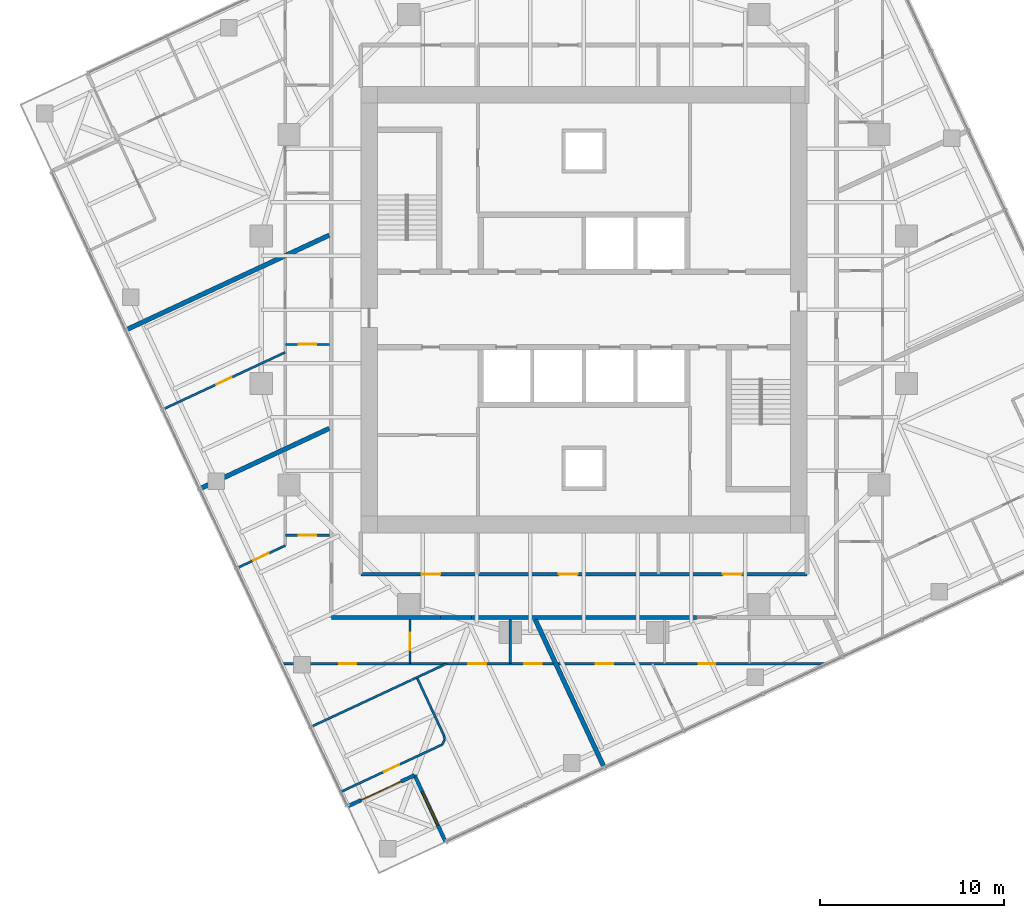
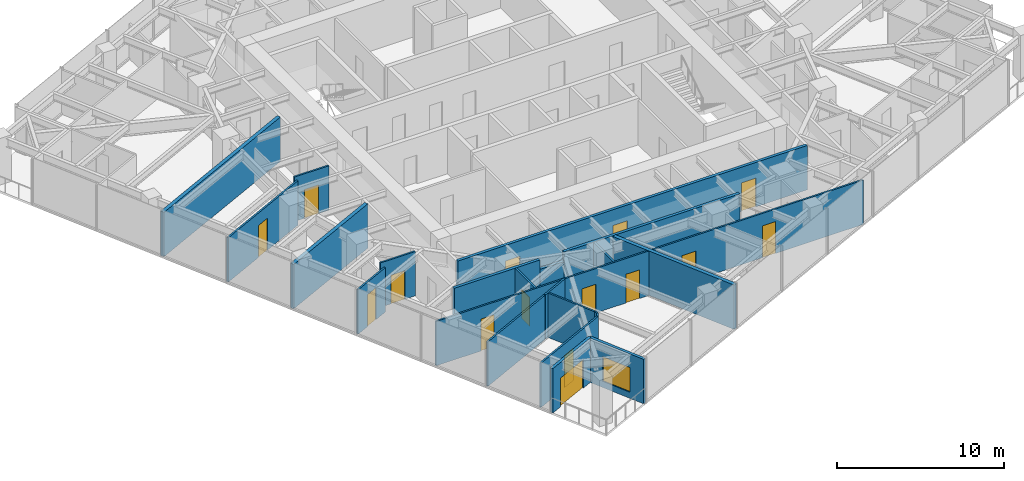
# One storey, part 7 of 12: 22 walls, 15 doors, 1 window, 16 openings.
"""IFC4 building model written with IfcOpenShell, lengths in metres."""

from ifc_helpers import new_model, si_unit, direction, frame, frame_2d, origin, place, context, subcontext, project, spatial, rectangle, extrude, material, layer, layer_set, type_object, element, fill, save


model = new_model("IFC4")

# Units and contexts
model_context = context("Model", 3, precision=1e-05, world=origin(), true_north=direction((0.0, 1.0)))
body_context = subcontext(model_context, "Body", "Model", "MODEL_VIEW")
ifc_project = project(units=[si_unit("LENGTHUNIT", "METRE"), si_unit("AREAUNIT", "SQUARE_METRE"), si_unit("VOLUMEUNIT", "CUBIC_METRE"), si_unit("PLANEANGLEUNIT", "RADIAN"), si_unit("MASSUNIT", "GRAM", prefix="KILO")], contexts=[model_context])

# Site, building, storey
site_placement = place(None, origin())
site = spatial("IfcSite", under=ifc_project, at=site_placement, CompositionType="ELEMENT")
building_placement = place(site_placement, origin())
building = spatial("IfcBuilding", under=site, at=building_placement, Name="Torsade Residences", CompositionType="ELEMENT")
storey_placement = place(building_placement, frame((0.0, 0.0, 186.199951171875)))
storey = spatial("IfcBuildingStorey", under=building, at=storey_placement, Name="L51", CompositionType="ELEMENT", Elevation=186.199951171875)

# Walls
ifc_material_1 = material(Name="Plasterboard on steel stud", Category="steel")
ifc_layer_1 = layer(ifc_material_1, 0.199951171875)
ifc_layer_set_1 = layer_set([ifc_layer_1], Name="Plasterboard on steel stud")
wall_type_1 = type_object("IfcWallType", Name="CORRIDOR WALL 200", PredefinedType="PARTITIONING", material=ifc_layer_set_1)
wall_1_placement = place(storey_placement, frame((26.300048828125, 13.300048828125, 0.0), z_axis=(0.0, 0.0, 1.0), x_axis=(1.0, 0.0, 0.0)))
element("IfcWall", 1, at=wall_1_placement, inside=storey, type_object=wall_type_1, Name="Corridor wall L51", PredefinedType="PARTITIONING", context=body_context, shape_type="SweptSolid", body=[
    extrude(rectangle(XDim=5.9248046875, YDim=0.199951171875, at=frame_2d((2.96240234375, 0.0))), origin(), (0.0, 0.0, 1.0), 3.25),
])
wall_2_placement = place(storey_placement, frame((32.224853515625, 13.300048828125, 0.0), z_axis=(0.0, 0.0, 1.0), x_axis=(1.0, 0.0, 0.0)))
element("IfcWall", 2, at=wall_2_placement, inside=storey, type_object=wall_type_1, Name="Corridor wall L51", PredefinedType="PARTITIONING", context=body_context, shape_type="SweptSolid", body=[
    extrude(rectangle(XDim=1.68359375, YDim=0.199951171875, at=frame_2d((0.841796875, 0.0))), origin(), (0.0, 0.0, 1.0), 2.550048828125),
])
wall_3_placement = place(storey_placement, frame((33.908447265625, 13.300048828125, 0.0), z_axis=(0.0, 0.0, 1.0), x_axis=(1.0, 0.0, 0.0)))
element("IfcWall", 3, at=wall_3_placement, inside=storey, type_object=wall_type_1, Name="Corridor wall L51", PredefinedType="PARTITIONING", context=body_context, shape_type="SweptSolid", body=[
    extrude(rectangle(XDim=12.18310546875, YDim=0.199951171875, at=frame_2d((6.091552734375, 0.0))), origin(), (0.0, 0.0, 1.0), 3.25),
])

# Wall, openings, doors
wall_4_placement = place(storey_placement, frame((27.89990234375, 15.64990234375, 0.0), z_axis=(0.0, 0.0, 1.0), x_axis=(1.0, 0.0, 0.0)))
wall_4 = element("IfcWall", 4, at=wall_4_placement, inside=storey, type_object=wall_type_1, Name="Corridor wall L51", PredefinedType="PARTITIONING", context=body_context, shape_type="SweptSolid", body=[
    extrude(rectangle(XDim=24.2001953125, YDim=0.199951171875, at=frame_2d((12.10009765625, 0.0))), origin(), (0.0, 0.0, 1.0), 3.25),
])
opening_1_placement = place(wall_4_placement, frame((10.742919921875, 0.0, 0.0)))
opening_1 = element("IfcOpeningElement", 5, at=opening_1_placement, cuts=wall_4, Name="Opening D03", PredefinedType="OPENING", context=body_context, shape_type="SweptSolid", body=[
    extrude(rectangle(XDim=1.02001953125, YDim=2.10009765625, at=frame_2d((0.510009765625, 1.050048828125))), frame((0.0, 0.10986328125, 0.0), z_axis=(0.0, -1.0, 0.0), x_axis=(1.0, 0.0, 0.0)), (0.0, 0.0, 1.0), 0.219970703125),
])
opening_2_placement = place(wall_4_placement, frame((19.6357421875, 0.0, 0.0)))
opening_2 = element("IfcOpeningElement", 6, at=opening_2_placement, cuts=wall_4, Name="Opening D03", PredefinedType="OPENING", context=body_context, shape_type="SweptSolid", body=[
    extrude(rectangle(XDim=1.02001953125, YDim=2.10009765625, at=frame_2d((0.510009765625, 1.050048828125))), frame((0.0, 0.10986328125, 0.0), z_axis=(0.0, -1.0, 0.0), x_axis=(1.0, 0.0, 0.0)), (0.0, 0.0, 1.0), 0.219970703125),
])
opening_3_placement = place(wall_4_placement, frame((3.29736328125, 0.0, 0.0)))
opening_3 = element("IfcOpeningElement", 7, at=opening_3_placement, cuts=wall_4, Name="Opening D03", PredefinedType="OPENING", context=body_context, shape_type="SweptSolid", body=[
    extrude(rectangle(XDim=1.02001953125, YDim=2.10009765625, at=frame_2d((0.510009765625, 1.050048828125))), frame((0.0, 0.10986328125, 0.0), z_axis=(0.0, -1.0, 0.0), x_axis=(1.0, 0.0, 0.0)), (0.0, 0.0, 1.0), 0.219970703125),
])
ifc_material_2 = material(Name="Steel-framed fire door", Category="steel")
door_type_1 = type_object("IfcDoorType", Name="FIRE DOOR 1020", OperationType="NOTDEFINED", PredefinedType="DOOR", material=ifc_material_2)
door_1_placement = place(opening_1_placement, origin())
door_1 = element("IfcDoor", 8, at=door_1_placement, inside=storey, type_object=door_type_1, Name="Door Residential corridor to Residents storage", OperationType="SINGLE_SWING_RIGHT", OverallHeight=2.10009765625, OverallWidth=1.02001953125, PredefinedType="DOOR", context=body_context, shape_type="SweptSolid", body=[
    extrude(rectangle(XDim=1.02001953125, YDim=2.10009765625, at=frame_2d((0.510009765625, 1.050048828125))), frame((0.0, 0.02490234375, 0.0), z_axis=(0.0, -1.0, 0.0), x_axis=(1.0, 0.0, 0.0)), (0.0, 0.0, 1.0), 0.050048828125),
])
fill(opening_1, door_1)
door_2_placement = place(opening_2_placement, origin())
door_2 = element("IfcDoor", 9, at=door_2_placement, inside=storey, type_object=door_type_1, Name="Door Residential corridor to Parcel room", OperationType="SINGLE_SWING_RIGHT", OverallHeight=2.10009765625, OverallWidth=1.02001953125, PredefinedType="DOOR", context=body_context, shape_type="SweptSolid", body=[
    extrude(rectangle(XDim=1.02001953125, YDim=2.10009765625, at=frame_2d((0.510009765625, 1.050048828125))), frame((0.0, 0.02490234375, 0.0), z_axis=(0.0, -1.0, 0.0), x_axis=(1.0, 0.0, 0.0)), (0.0, 0.0, 1.0), 0.050048828125),
])
fill(opening_2, door_2)
door_3_placement = place(opening_3_placement, origin())
door_3 = element("IfcDoor", 10, at=door_3_placement, inside=storey, type_object=door_type_1, Name="Door Residential corridor to Bulk store", OperationType="SINGLE_SWING_RIGHT", OverallHeight=2.10009765625, OverallWidth=1.02001953125, PredefinedType="DOOR", context=body_context, shape_type="SweptSolid", body=[
    extrude(rectangle(XDim=1.02001953125, YDim=2.10009765625, at=frame_2d((0.510009765625, 1.050048828125))), frame((0.0, 0.02490234375, 0.0), z_axis=(0.0, -1.0, 0.0), x_axis=(1.0, 0.0, 0.0)), (0.0, 0.0, 1.0), 0.050048828125),
])
fill(opening_3, door_3)

# Wall, opening, door
ifc_material_3 = material(Name="Plasterboard on steel stud", Category="steel")
ifc_layer_2 = layer(ifc_material_3, 0.1201171875)
ifc_layer_set_2 = layer_set([ifc_layer_2], Name="Plasterboard on steel stud")
wall_type_2 = type_object("IfcWallType", Name="PARTITION 120", PredefinedType="PARTITIONING", material=ifc_layer_set_2)
wall_5_placement = place(storey_placement, frame((26.199951171875, 28.1162109375, 0.0), z_axis=(0.0, 0.0, 1.0), x_axis=(-1.0, 0.0, 0.0)))
wall_5 = element("IfcWall", 11, at=wall_5_placement, inside=storey, type_object=wall_type_2, Name="Partition L51", PredefinedType="PARTITIONING", context=body_context, shape_type="SweptSolid", body=[
    extrude(rectangle(XDim=2.39990234375, YDim=0.1201171875, at=frame_2d((1.199951171875, 0.0))), origin(), (0.0, 0.0, 1.0), 3.25),
])
opening_4_placement = place(wall_5_placement, frame((0.719970703125, 0.0, 0.0)))
opening_4 = element("IfcOpeningElement", 12, at=opening_4_placement, cuts=wall_5, Name="Opening D05", PredefinedType="OPENING", context=body_context, shape_type="SweptSolid", body=[
    extrude(rectangle(XDim=0.9599609375, YDim=2.10009765625, at=frame_2d((0.47998046875, 1.050048828125))), frame((0.0, 0.070068359375, 0.0), z_axis=(0.0, -1.0, 0.0), x_axis=(1.0, 0.0, 0.0)), (0.0, 0.0, 1.0), 0.14013671875),
])
ifc_material_4 = material(Name="Hollow-core timber door in a steel cavity frame", Category="steel")
door_type_2 = type_object("IfcDoorType", Name="BATHROOM CAVITY SLIDING DOOR 960", OperationType="SLIDING_TO_LEFT", PredefinedType="DOOR", material=ifc_material_4)
door_4_placement = place(opening_4_placement, origin())
door_4 = element("IfcDoor", 13, at=door_4_placement, inside=storey, type_object=door_type_2, Name="Door Kitchen and dining to Bathroom", OperationType="SLIDING_TO_LEFT", OverallHeight=2.10009765625, OverallWidth=0.9599609375, PredefinedType="DOOR", context=body_context, shape_type="SweptSolid", body=[
    extrude(rectangle(XDim=0.9599609375, YDim=2.10009765625, at=frame_2d((0.47998046875, 1.050048828125))), frame((0.0, 0.02490234375, 0.0), z_axis=(0.0, -1.0, 0.0), x_axis=(1.0, 0.0, 0.0)), (0.0, 0.0, 1.0), 0.050048828125),
])
fill(opening_4, door_4)

wall_6_placement = place(storey_placement, frame((23.800048828125, 27.686767578125, 0.0), z_axis=(0.0, 0.0, 1.0), x_axis=(-0.906306986906, -0.422619977621, 0.0)))
wall_6 = element("IfcWall", 14, at=wall_6_placement, inside=storey, type_object=wall_type_2, Name="Partition L51", PredefinedType="PARTITIONING", context=body_context, shape_type="SweptSolid", body=[
    extrude(rectangle(XDim=7.30029296875, YDim=0.1201171875, at=frame_2d((3.650146484375, 0.0))), origin(), (0.0, 0.0, 1.0), 3.25),
])
opening_5_placement = place(wall_6_placement, frame((3.210205078125, 0.0, 0.0)))
opening_5 = element("IfcOpeningElement", 15, at=opening_5_placement, cuts=wall_6, Name="Opening D02", PredefinedType="OPENING", context=body_context, shape_type="SweptSolid", body=[
    extrude(rectangle(XDim=0.919921875, YDim=2.340087890625, at=frame_2d((0.4599609375, 1.169921875))), frame((0.0, 0.070068359375, 0.0), z_axis=(0.0, -1.0, 0.0), x_axis=(1.0, 0.0, 0.0)), (0.0, 0.0, 1.0), 0.14013671875),
])
ifc_material_5 = material(Name="Hollow-core timber door", Category="wood")
door_type_3 = type_object("IfcDoorType", Name="INTERNAL DOOR 920x2340", OperationType="NOTDEFINED", PredefinedType="DOOR", material=ifc_material_5)
door_5_placement = place(opening_5_placement, origin())
door_5 = element("IfcDoor", 16, at=door_5_placement, inside=storey, type_object=door_type_3, Name="Door Living room to Bedroom 1", OperationType="SINGLE_SWING_LEFT", OverallHeight=2.340087890625, OverallWidth=0.919921875, PredefinedType="DOOR", context=body_context, shape_type="SweptSolid", body=[
    extrude(rectangle(XDim=0.919921875, YDim=2.340087890625, at=frame_2d((0.4599609375, 1.169921875))), frame((0.0, 0.02490234375, 0.0), z_axis=(0.0, -1.0, 0.0), x_axis=(1.0, 0.0, 0.0)), (0.0, 0.0, 1.0), 0.050048828125),
])
fill(opening_5, door_5)

wall_7_placement = place(storey_placement, frame((23.800048828125, 17.7646484375, 0.0), z_axis=(0.0, 0.0, 1.0), x_axis=(1.0, 0.0, 0.0)))
wall_7 = element("IfcWall", 17, at=wall_7_placement, inside=storey, type_object=wall_type_2, Name="Partition L51", PredefinedType="PARTITIONING", context=body_context, shape_type="SweptSolid", body=[
    extrude(rectangle(XDim=2.39990234375, YDim=0.1201171875, at=frame_2d((1.199951171875, 0.0))), origin(), (0.0, 0.0, 1.0), 3.25),
])
opening_6_placement = place(wall_7_placement, frame((0.719970703125, 0.0, 0.0)))
opening_6 = element("IfcOpeningElement", 18, at=opening_6_placement, cuts=wall_7, Name="Opening D05", PredefinedType="OPENING", context=body_context, shape_type="SweptSolid", body=[
    extrude(rectangle(XDim=0.9599609375, YDim=2.10009765625, at=frame_2d((0.47998046875, 1.050048828125))), frame((0.0, 0.070068359375, 0.0), z_axis=(0.0, -1.0, 0.0), x_axis=(1.0, 0.0, 0.0)), (0.0, 0.0, 1.0), 0.14013671875),
])
door_6_placement = place(opening_6_placement, origin())
door_6 = element("IfcDoor", 19, at=door_6_placement, inside=storey, type_object=door_type_2, Name="Door Kitchen and dining to Bathroom", OperationType="SLIDING_TO_LEFT", OverallHeight=2.10009765625, OverallWidth=0.9599609375, PredefinedType="DOOR", context=body_context, shape_type="SweptSolid", body=[
    extrude(rectangle(XDim=0.9599609375, YDim=2.10009765625, at=frame_2d((0.47998046875, 1.050048828125))), frame((0.0, 0.02490234375, 0.0), z_axis=(0.0, -1.0, 0.0), x_axis=(1.0, 0.0, 0.0)), (0.0, 0.0, 1.0), 0.050048828125),
])
fill(opening_6, door_6)

wall_8_placement = place(storey_placement, frame((30.564208984375, 13.199951171875, 0.0), z_axis=(0.0, 0.0, 1.0), x_axis=(0.0, -1.0, 0.0)))
wall_8 = element("IfcWall", 20, at=wall_8_placement, inside=storey, type_object=wall_type_2, Name="Partition L51", PredefinedType="PARTITIONING", context=body_context, shape_type="SweptSolid", body=[
    extrude(rectangle(XDim=2.39990234375, YDim=0.1201171875, at=frame_2d((1.199951171875, 0.0))), origin(), (0.0, 0.0, 1.0), 3.25),
])
opening_7_placement = place(wall_8_placement, frame((0.719970703125, 0.0, 0.0)))
opening_7 = element("IfcOpeningElement", 21, at=opening_7_placement, cuts=wall_8, Name="Opening D05", PredefinedType="OPENING", context=body_context, shape_type="SweptSolid", body=[
    extrude(rectangle(XDim=0.9599609375, YDim=2.10009765625, at=frame_2d((0.47998046875, 1.050048828125))), frame((0.0, 0.070068359375, 0.0), z_axis=(0.0, -1.0, 0.0), x_axis=(1.0, 0.0, 0.0)), (0.0, 0.0, 1.0), 0.14013671875),
])
door_7_placement = place(opening_7_placement, origin())
door_7 = element("IfcDoor", 22, at=door_7_placement, inside=storey, type_object=door_type_2, Name="Door Kitchen and dining to Ensuite", OperationType="SLIDING_TO_LEFT", OverallHeight=2.10009765625, OverallWidth=0.9599609375, PredefinedType="DOOR", context=body_context, shape_type="SweptSolid", body=[
    extrude(rectangle(XDim=0.9599609375, YDim=2.10009765625, at=frame_2d((0.47998046875, 1.050048828125))), frame((0.0, 0.02490234375, 0.0), z_axis=(0.0, -1.0, 0.0), x_axis=(1.0, 0.0, 0.0)), (0.0, 0.0, 1.0), 0.050048828125),
])
fill(opening_7, door_7)

# Wall, openings, doors
wall_9_placement = place(storey_placement, frame((53.2080078125, 10.800048828125, 0.0), z_axis=(0.0, 0.0, 1.0), x_axis=(-1.0, 0.0, 0.0)))
wall_9 = element("IfcWall", 23, at=wall_9_placement, inside=storey, type_object=wall_type_2, Name="Partition L51", PredefinedType="PARTITIONING", context=body_context, shape_type="SweptSolid", body=[
    extrude(rectangle(XDim=29.592529296875, YDim=0.1201171875, at=frame_2d((14.79638671875, 0.0))), origin(), (0.0, 0.0, 1.0), 3.25),
])
opening_8_placement = place(wall_9_placement, frame((6.073974609375, 0.0, 0.0)))
opening_8 = element("IfcOpeningElement", 24, at=opening_8_placement, cuts=wall_9, Name="Opening D02", PredefinedType="OPENING", context=body_context, shape_type="SweptSolid", body=[
    extrude(rectangle(XDim=0.919921875, YDim=2.340087890625, at=frame_2d((0.4599609375, 1.169921875))), frame((0.0, 0.070068359375, 0.0), z_axis=(0.0, -1.0, 0.0), x_axis=(1.0, 0.0, 0.0)), (0.0, 0.0, 1.0), 0.14013671875),
])
opening_9_placement = place(wall_9_placement, frame((25.56591796875, 0.0, 0.0)))
opening_9 = element("IfcOpeningElement", 25, at=opening_9_placement, cuts=wall_9, Name="Opening D02", PredefinedType="OPENING", context=body_context, shape_type="SweptSolid", body=[
    extrude(rectangle(XDim=0.919921875, YDim=2.340087890625, at=frame_2d((0.4599609375, 1.169921875))), frame((0.0, 0.070068359375, 0.0), z_axis=(0.0, -1.0, 0.0), x_axis=(1.0, 0.0, 0.0)), (0.0, 0.0, 1.0), 0.14013671875),
])
opening_10_placement = place(wall_9_placement, frame((18.515380859375, 0.0, 0.0)))
opening_10 = element("IfcOpeningElement", 26, at=opening_10_placement, cuts=wall_9, Name="Opening D05", PredefinedType="OPENING", context=body_context, shape_type="SweptSolid", body=[
    extrude(rectangle(XDim=0.9599609375, YDim=2.10009765625, at=frame_2d((0.47998046875, 1.050048828125))), frame((0.0, 0.070068359375, 0.0), z_axis=(0.0, -1.0, 0.0), x_axis=(1.0, 0.0, 0.0)), (0.0, 0.0, 1.0), 0.14013671875),
])
opening_11_placement = place(wall_9_placement, frame((15.49267578125, 0.0, 0.0)))
opening_11 = element("IfcOpeningElement", 27, at=opening_11_placement, cuts=wall_9, Name="Opening D05", PredefinedType="OPENING", context=body_context, shape_type="SweptSolid", body=[
    extrude(rectangle(XDim=0.9599609375, YDim=2.10009765625, at=frame_2d((0.47998046875, 1.050048828125))), frame((0.0, 0.070068359375, 0.0), z_axis=(0.0, -1.0, 0.0), x_axis=(1.0, 0.0, 0.0)), (0.0, 0.0, 1.0), 0.14013671875),
])
opening_12_placement = place(wall_9_placement, frame((11.60888671875, 0.0, 0.0)))
opening_12 = element("IfcOpeningElement", 28, at=opening_12_placement, cuts=wall_9, Name="Opening D05", PredefinedType="OPENING", context=body_context, shape_type="SweptSolid", body=[
    extrude(rectangle(XDim=0.9599609375, YDim=2.10009765625, at=frame_2d((0.47998046875, 1.050048828125))), frame((0.0, 0.070068359375, 0.0), z_axis=(0.0, -1.0, 0.0), x_axis=(1.0, 0.0, 0.0)), (0.0, 0.0, 1.0), 0.14013671875),
])
door_8_placement = place(opening_10_placement, origin())
door_8 = element("IfcDoor", 29, at=door_8_placement, inside=storey, type_object=door_type_2, Name="Door Ensuite to Living room", OperationType="SLIDING_TO_LEFT", OverallHeight=2.10009765625, OverallWidth=0.9599609375, PredefinedType="DOOR", context=body_context, shape_type="SweptSolid", body=[
    extrude(rectangle(XDim=0.9599609375, YDim=2.10009765625, at=frame_2d((0.47998046875, 1.050048828125))), frame((0.0, 0.02490234375, 0.0), z_axis=(0.0, -1.0, 0.0), x_axis=(1.0, 0.0, 0.0)), (0.0, 0.0, 1.0), 0.050048828125),
])
fill(opening_10, door_8)
door_9_placement = place(opening_11_placement, origin())
door_9 = element("IfcDoor", 30, at=door_9_placement, inside=storey, type_object=door_type_2, Name="Door Living room to Laundry", OperationType="SLIDING_TO_LEFT", OverallHeight=2.10009765625, OverallWidth=0.9599609375, PredefinedType="DOOR", context=body_context, shape_type="SweptSolid", body=[
    extrude(rectangle(XDim=0.9599609375, YDim=2.10009765625, at=frame_2d((0.47998046875, 1.050048828125))), frame((0.0, 0.02490234375, 0.0), z_axis=(0.0, -1.0, 0.0), x_axis=(1.0, 0.0, 0.0)), (0.0, 0.0, 1.0), 0.050048828125),
])
fill(opening_11, door_9)
door_10_placement = place(opening_12_placement, origin())
door_10 = element("IfcDoor", 31, at=door_10_placement, inside=storey, type_object=door_type_2, Name="Door Living room to Bathroom", OperationType="SLIDING_TO_LEFT", OverallHeight=2.10009765625, OverallWidth=0.9599609375, PredefinedType="DOOR", context=body_context, shape_type="SweptSolid", body=[
    extrude(rectangle(XDim=0.9599609375, YDim=2.10009765625, at=frame_2d((0.47998046875, 1.050048828125))), frame((0.0, 0.02490234375, 0.0), z_axis=(0.0, -1.0, 0.0), x_axis=(1.0, 0.0, 0.0)), (0.0, 0.0, 1.0), 0.050048828125),
])
fill(opening_12, door_10)
door_11_placement = place(opening_8_placement, origin())
door_11 = element("IfcDoor", 32, at=door_11_placement, inside=storey, type_object=door_type_3, Name="Door Kitchen and dining to Bedroom 1", OperationType="SINGLE_SWING_RIGHT", OverallHeight=2.340087890625, OverallWidth=0.919921875, PredefinedType="DOOR", context=body_context, shape_type="SweptSolid", body=[
    extrude(rectangle(XDim=0.919921875, YDim=2.340087890625, at=frame_2d((0.4599609375, 1.169921875))), frame((0.0, 0.02490234375, 0.0), z_axis=(0.0, -1.0, 0.0), x_axis=(1.0, 0.0, 0.0)), (0.0, 0.0, 1.0), 0.050048828125),
])
fill(opening_8, door_11)
door_12_placement = place(opening_9_placement, origin())
door_12 = element("IfcDoor", 33, at=door_12_placement, inside=storey, type_object=door_type_3, Name="Door Kitchen and dining to Bedroom 1", OperationType="SINGLE_SWING_RIGHT", OverallHeight=2.340087890625, OverallWidth=0.919921875, PredefinedType="DOOR", context=body_context, shape_type="SweptSolid", body=[
    extrude(rectangle(XDim=0.919921875, YDim=2.340087890625, at=frame_2d((0.4599609375, 1.169921875))), frame((0.0, 0.02490234375, 0.0), z_axis=(0.0, -1.0, 0.0), x_axis=(1.0, 0.0, 0.0)), (0.0, 0.0, 1.0), 0.050048828125),
])
fill(opening_9, door_12)

# Wall, opening, door
wall_10_placement = place(storey_placement, frame((21.19873046875, 15.99169921875, 0.0), z_axis=(0.0, 0.0, 1.0), x_axis=(0.906291760669, 0.422652628697, 0.0)))
wall_10 = element("IfcWall", 34, at=wall_10_placement, inside=storey, type_object=wall_type_2, Name="Partition L51", PredefinedType="PARTITIONING", context=body_context, shape_type="SweptSolid", body=[
    extrude(rectangle(XDim=2.870361328125, YDim=0.1201171875, at=frame_2d((1.43505859375, 0.0))), origin(), (0.0, 0.0, 1.0), 3.25),
])
opening_13_placement = place(wall_10_placement, frame((0.955078125, 0.0, 0.0)))
opening_13 = element("IfcOpeningElement", 35, at=opening_13_placement, cuts=wall_10, Name="Opening D02", PredefinedType="OPENING", context=body_context, shape_type="SweptSolid", body=[
    extrude(rectangle(XDim=0.919921875, YDim=2.340087890625, at=frame_2d((0.4599609375, 1.169921875))), frame((0.0, 0.070068359375, 0.0), z_axis=(0.0, -1.0, 0.0), x_axis=(1.0, 0.0, 0.0)), (0.0, 0.0, 1.0), 0.14013671875),
])
door_13_placement = place(opening_13_placement, origin())
door_13 = element("IfcDoor", 36, at=door_13_placement, inside=storey, type_object=door_type_3, Name="Door Kitchen and dining to Bedroom 3", OperationType="SINGLE_SWING_RIGHT", OverallHeight=2.340087890625, OverallWidth=0.919921875, PredefinedType="DOOR", context=body_context, shape_type="SweptSolid", body=[
    extrude(rectangle(XDim=0.919921875, YDim=2.340087890625, at=frame_2d((0.4599609375, 1.169921875))), frame((0.0, 0.02490234375, 0.0), z_axis=(0.0, -1.0, 0.0), x_axis=(1.0, 0.0, 0.0)), (0.0, 0.0, 1.0), 0.050048828125),
])
fill(opening_13, door_13)

# Walls
wall_11_placement = place(storey_placement, frame((36.0, 13.199951171875, 0.0), z_axis=(0.0, 0.0, 1.0), x_axis=(0.0, -1.0, 0.0)))
element("IfcWall", 37, at=wall_11_placement, inside=storey, type_object=wall_type_2, Name="Partition L51", PredefinedType="PARTITIONING", context=body_context, shape_type="SweptSolid", body=[
    extrude(rectangle(XDim=2.39990234375, YDim=0.1201171875, at=frame_2d((1.199951171875, 0.0))), origin(), (0.0, 0.0, 1.0), 3.25),
])
wall_12_placement = place(storey_placement, frame((30.670654296875, 9.926513671875, 0.0), z_axis=(0.0, 0.0, 1.0), x_axis=(0.906306821634, 0.422620332048, 0.0)))
element("IfcWall", 38, at=wall_12_placement, inside=storey, type_object=wall_type_2, Name="Partition L51", PredefinedType="PARTITIONING", context=body_context, shape_type="SweptSolid", body=[
    extrude(rectangle(XDim=2.06689453125, YDim=0.1201171875, at=frame_2d((1.033447265625, 0.0))), origin(), (0.0, 0.0, 1.0), 3.25),
])

# Wall, opening, door
wall_13_placement = place(storey_placement, frame((26.853515625, 3.86474609375, 0.0), z_axis=(0.0, 0.0, 1.0), x_axis=(0.906251488513, 0.422738973325, 0.0)))
wall_13 = element("IfcWall", 39, at=wall_13_placement, inside=storey, type_object=wall_type_2, Name="Partition L51", PredefinedType="PARTITIONING", context=body_context, shape_type="SweptSolid", body=[
    extrude(rectangle(XDim=6.021728515625, YDim=0.1201171875, at=frame_2d((3.0107421875, 0.0))), origin(), (0.0, 0.0, 1.0), 3.25),
])
opening_14_placement = place(wall_13_placement, frame((2.531005859375, 0.0, 0.0)))
opening_14 = element("IfcOpeningElement", 40, at=opening_14_placement, cuts=wall_13, Name="Opening D02", PredefinedType="OPENING", context=body_context, shape_type="SweptSolid", body=[
    extrude(rectangle(XDim=0.919921875, YDim=2.340087890625, at=frame_2d((0.4599609375, 1.169921875))), frame((0.0, 0.070068359375, 0.0), z_axis=(0.0, -1.0, 0.0), x_axis=(1.0, 0.0, 0.0)), (0.0, 0.0, 1.0), 0.14013671875),
])
door_14_placement = place(opening_14_placement, origin())
door_14 = element("IfcDoor", 41, at=door_14_placement, inside=storey, type_object=door_type_3, Name="Door Living room to Bedroom 2", OperationType="SINGLE_SWING_RIGHT", OverallHeight=2.340087890625, OverallWidth=0.919921875, PredefinedType="DOOR", context=body_context, shape_type="SweptSolid", body=[
    extrude(rectangle(XDim=0.919921875, YDim=2.340087890625, at=frame_2d((0.4599609375, 1.169921875))), frame((0.0, 0.02490234375, 0.0), z_axis=(0.0, -1.0, 0.0), x_axis=(1.0, 0.0, 0.0)), (0.0, 0.0, 1.0), 0.050048828125),
])
fill(opening_14, door_14)

# Walls
wall_14_placement = place(storey_placement, frame((32.310791015625, 6.410400390625, 0.0), z_axis=(0.0, 0.0, 1.0), x_axis=(0.432992694072, 0.901397430039, 0.0)))
element("IfcWall", 42, at=wall_14_placement, inside=storey, type_object=wall_type_2, Name="Partition L51", PredefinedType="PARTITIONING", context=body_context, shape_type="SweptSolid", body=[
    extrude(rectangle(XDim=0.303466796875, YDim=0.1201171875, at=frame_2d((0.15185546875, 0.0))), origin(), (0.0, 0.0, 1.0), 3.25),
])
wall_15_placement = place(storey_placement, frame((32.442138671875, 6.683837890625, 0.0), z_axis=(0.0, 0.0, 1.0), x_axis=(-0.1412579154, 0.989972828585, 0.0)))
element("IfcWall", 43, at=wall_15_placement, inside=storey, type_object=wall_type_2, Name="Partition L51", PredefinedType="PARTITIONING", context=body_context, shape_type="SweptSolid", body=[
    extrude(rectangle(XDim=0.209228515625, YDim=0.1201171875, at=frame_2d((0.1044921875, 0.0))), origin(), (0.0, 0.0, 1.0), 3.25),
])
wall_16_placement = place(storey_placement, frame((32.41259765625, 6.890869140625, 0.0), z_axis=(0.0, 0.0, 1.0), x_axis=(-0.422628673033, 0.906302932099, 0.0)))
element("IfcWall", 44, at=wall_16_placement, inside=storey, type_object=wall_type_2, Name="Partition L51", PredefinedType="PARTITIONING", context=body_context, shape_type="SweptSolid", body=[
    extrude(rectangle(XDim=3.4873046875, YDim=0.1201171875, at=frame_2d((1.74365234375, 0.0))), origin(), (0.0, 0.0, 1.0), 3.25),
])
wall_17_placement = place(storey_placement, frame((30.62158203125, 9.903564453125, 0.0), z_axis=(0.0, 0.0, 1.0), x_axis=(-0.906317929608, -0.422596510244, 0.0)))
element("IfcWall", 45, at=wall_17_placement, inside=storey, type_object=wall_type_2, Name="Partition L51", PredefinedType="PARTITIONING", context=body_context, shape_type="SweptSolid", body=[
    extrude(rectangle(XDim=5.96728515625, YDim=0.1201171875, at=frame_2d((2.983642578125, 0.0))), origin(), (0.0, 0.0, 1.0), 3.25),
])
ifc_material_6 = material(Name="Masonry-lined stud party wall", Category="masonry")
ifc_layer_3 = layer(ifc_material_6, 0.25)
ifc_layer_set_3 = layer_set([ifc_layer_3], Name="Masonry-lined stud party wall")
wall_type_3 = type_object("IfcWallType", Name="PARTY WALL 250", PredefinedType="PARTITIONING", material=ifc_layer_set_3)
wall_18_placement = place(storey_placement, frame((41.1103515625, 5.14013671875, 0.0), z_axis=(0.0, 0.0, 1.0), x_axis=(-0.42262942879, 0.906302579672, 0.0)))
element("IfcWall", 46, at=wall_18_placement, inside=storey, type_object=wall_type_3, Name="Party wall L51", PredefinedType="PARTITIONING", context=body_context, shape_type="SweptSolid", body=[
    extrude(rectangle(XDim=8.874755859375, YDim=0.25, at=frame_2d((4.4375, 0.0))), origin(), (0.0, 0.0, 1.0), 3.25),
])
wall_19_placement = place(storey_placement, frame((19.155029296875, 20.27978515625, 0.0), z_axis=(0.0, 0.0, 1.0), x_axis=(0.906308569177, 0.422616584432, 0.0)))
element("IfcWall", 47, at=wall_19_placement, inside=storey, type_object=wall_type_3, Name="Party wall L51", PredefinedType="PARTITIONING", context=body_context, shape_type="SweptSolid", body=[
    extrude(rectangle(XDim=7.7548828125, YDim=0.25, at=frame_2d((3.87744140625, 0.0))), origin(), (0.0, 0.0, 1.0), 3.25),
])
wall_20_placement = place(storey_placement, frame((15.14013671875, 28.8896484375, 0.0), z_axis=(0.0, 0.0, 1.0), x_axis=(0.906303906082, 0.422626584374, 0.0)))
element("IfcWall", 48, at=wall_20_placement, inside=storey, type_object=wall_type_3, Name="Party wall L51", PredefinedType="PARTITIONING", context=body_context, shape_type="SweptSolid", body=[
    extrude(rectangle(XDim=12.184814453125, YDim=0.25, at=frame_2d((6.09228515625, 0.0))), origin(), (0.0, 0.0, 1.0), 3.25),
])

# Wall, opening, door
ifc_material_7 = material(Name="Stone-faced precast concrete 40 MPa panel", Category="masonry")
ifc_layer_4 = layer(ifc_material_7, 0.199951171875)
ifc_layer_set_4 = layer_set([ifc_layer_4], Name="Stone-faced precast concrete 40 MPa panel")
wall_type_4 = type_object("IfcWallType", Name="TERRACE WALL 200", PredefinedType="SOLIDWALL", material=ifc_layer_set_4)
wall_21_placement = place(storey_placement, frame((27.1845703125, 3.059814453125, 0.0), z_axis=(0.0, 0.0, 1.0), x_axis=(0.906289140828, 0.422658246362, 0.0)))
wall_21 = element("IfcWall", 49, at=wall_21_placement, inside=storey, type_object=wall_type_4, Name="Terrace wall L51 11", PredefinedType="SOLIDWALL", context=body_context, shape_type="SweptSolid", body=[
    extrude(rectangle(XDim=4.0, YDim=0.199951171875, at=frame_2d((2.0, 0.0))), origin(), (0.0, 0.0, 1.0), 3.25),
])
opening_15_placement = place(wall_21_placement, frame((0.800048828125, 0.0, 0.0)))
opening_15 = element("IfcOpeningElement", 50, at=opening_15_placement, cuts=wall_21, Name="Opening D10A", PredefinedType="OPENING", context=body_context, shape_type="SweptSolid", body=[
    extrude(rectangle(XDim=2.39990234375, YDim=2.10009765625, at=frame_2d((1.199951171875, 1.050048828125))), frame((0.0, 0.10986328125, 0.0), z_axis=(0.0, -1.0, 0.0), x_axis=(1.0, 0.0, 0.0)), (0.0, 0.0, 1.0), 0.219970703125),
])
ifc_material_8 = material(Name="Aluminium-framed glass door", Category="aluminium")
door_type_4 = type_object("IfcDoorType", Name="TERRACE SLIDING DOOR 2400x2100", OperationType="SLIDING_TO_LEFT", PredefinedType="DOOR", material=ifc_material_8)
door_15_placement = place(opening_15_placement, origin())
door_15 = element("IfcDoor", 51, at=door_15_placement, inside=storey, type_object=door_type_4, Name="Terrace door L51 11", OperationType="SLIDING_TO_LEFT", OverallHeight=2.10009765625, OverallWidth=2.39990234375, PredefinedType="DOOR", context=body_context, shape_type="SweptSolid", body=[
    extrude(rectangle(XDim=2.39990234375, YDim=2.10009765625, at=frame_2d((1.199951171875, 1.050048828125))), frame((0.0, 0.02490234375, 0.0), z_axis=(0.0, -1.0, 0.0), x_axis=(1.0, 0.0, 0.0)), (0.0, 0.0, 1.0), 0.050048828125),
])
fill(opening_15, door_15)

# Wall, opening, window
wall_22_placement = place(storey_placement, frame((30.809814453125, 4.75048828125, 0.0), z_axis=(0.0, 0.0, 1.0), x_axis=(0.422658246362, -0.906289140828, 0.0)))
wall_22 = element("IfcWall", 52, at=wall_22_placement, inside=storey, type_object=wall_type_4, Name="Terrace wall L51 12", PredefinedType="SOLIDWALL", context=body_context, shape_type="SweptSolid", body=[
    extrude(rectangle(XDim=4.0, YDim=0.199951171875, at=frame_2d((2.0, 0.0))), origin(), (0.0, 0.0, 1.0), 3.25),
])
opening_16_placement = place(wall_22_placement, frame((1.0, 0.0, 0.449951171875)))
opening_16 = element("IfcOpeningElement", 53, at=opening_16_placement, cuts=wall_22, Name="Opening W1B", PredefinedType="OPENING", context=body_context, shape_type="SweptSolid", body=[
    extrude(rectangle(XDim=2.0, YDim=1.800048828125, at=frame_2d((1.0, 0.89990234375))), frame((0.0, 0.10986328125, 0.0), z_axis=(0.0, -1.0, 0.0), x_axis=(1.0, 0.0, 0.0)), (0.0, 0.0, 1.0), 0.219970703125),
])
ifc_material_9 = material(Name="Aluminium-framed glass window", Category="aluminium")
window_type = type_object("IfcWindowType", Name="TERRACE WINDOW 2000x1800", PartitioningType="SINGLE_PANEL", PredefinedType="WINDOW", material=ifc_material_9)
window_placement = place(opening_16_placement, origin())
window = element("IfcWindow", 54, at=window_placement, inside=storey, type_object=window_type, Name="Terrace window L51 12", OverallHeight=1.800048828125, OverallWidth=2.0, PartitioningType="SINGLE_PANEL", PredefinedType="WINDOW", context=body_context, shape_type="SweptSolid", body=[
    extrude(rectangle(XDim=2.0, YDim=1.800048828125, at=frame_2d((1.0, 0.89990234375))), frame((0.0, 0.030029296875, 0.0), z_axis=(0.0, -1.0, 0.0), x_axis=(1.0, 0.0, 0.0)), (0.0, 0.0, 1.0), 0.06005859375),
])
fill(opening_16, window)

save(model, "model.ifc")
